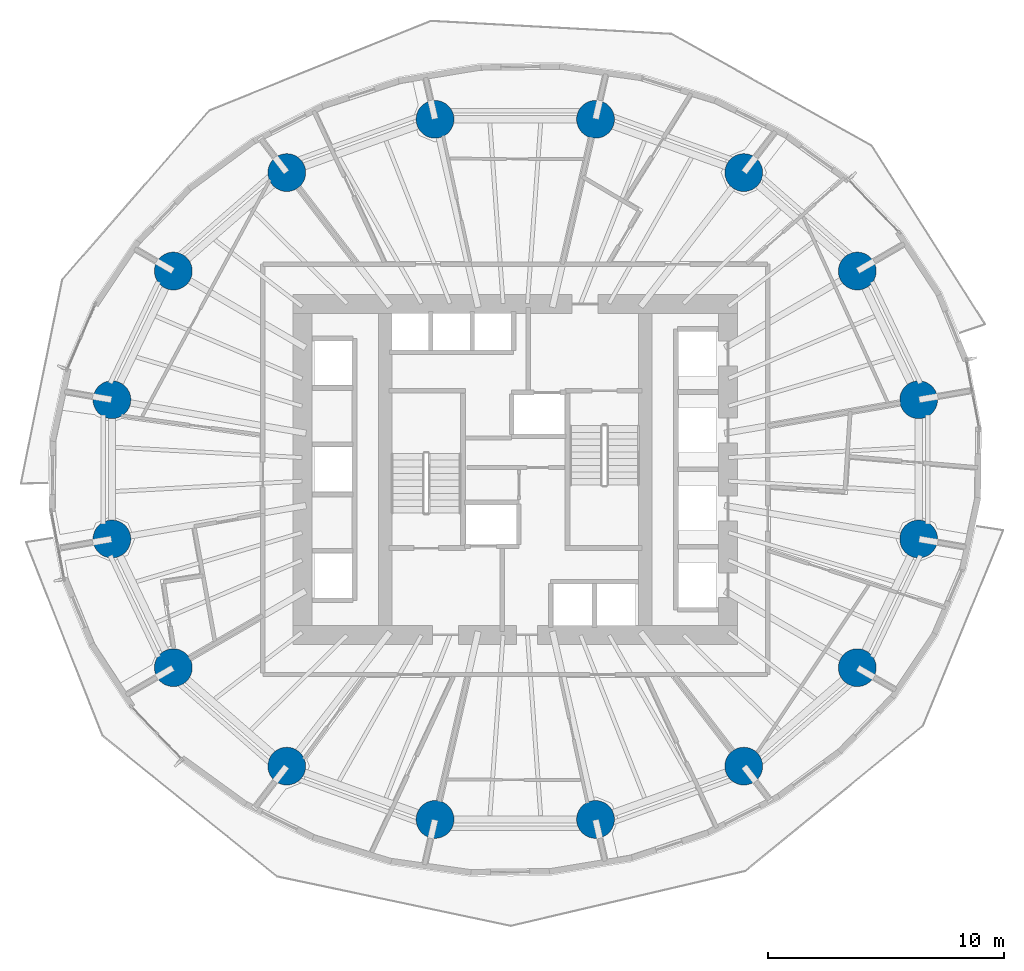
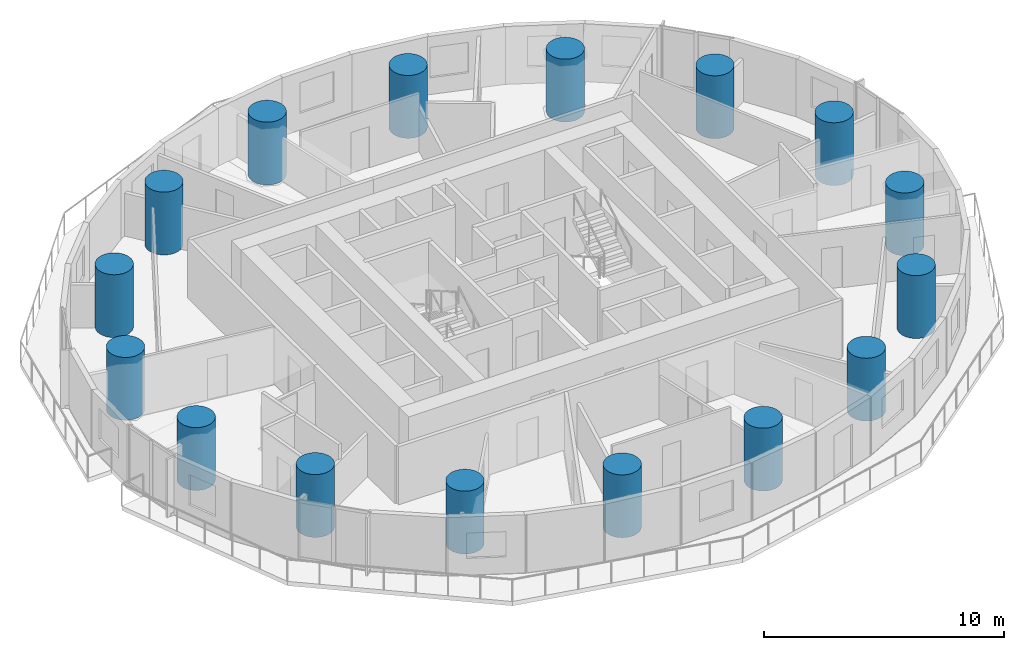
# One storey, part 1 of 14: 16 columns.
"""IFC4 building model written with IfcOpenShell, lengths in metres."""

from ifc_helpers import new_model, si_unit, direction, frame, origin, origin_2d, place, context, subcontext, project, spatial, circle, extrude, material, material_profile, profile_set, type_object, element, save


model = new_model("IFC4")

# Units and contexts
model_context = context("Model", 3, precision=1e-05, world=origin(), true_north=direction((0.0, 1.0)))
body_context = subcontext(model_context, "Body", "Model", "MODEL_VIEW")
ifc_project = project(units=[si_unit("LENGTHUNIT", "METRE"), si_unit("AREAUNIT", "SQUARE_METRE"), si_unit("VOLUMEUNIT", "CUBIC_METRE"), si_unit("PLANEANGLEUNIT", "RADIAN"), si_unit("MASSUNIT", "GRAM", prefix="KILO")], contexts=[model_context])

# Site, building, storey
site_placement = place(None, origin())
site = spatial("IfcSite", under=ifc_project, at=site_placement, CompositionType="ELEMENT")
building_placement = place(site_placement, origin())
building = spatial("IfcBuilding", under=site, at=building_placement, Name="Veldorim Arch Residences", CompositionType="ELEMENT")
storey_placement = place(building_placement, frame((0.0, 0.0, 31.199951171875)))
storey = spatial("IfcBuildingStorey", under=building, at=storey_placement, Name="L08", CompositionType="ELEMENT", Elevation=31.199951171875)

# Columns
ifc_material = material(Name="Concrete C60/75", Category="concrete")
ifc_material_profile = material_profile(ifc_material, circle(Radius=0.800048828125, at=origin_2d()), Name="RC_CIRC_1600")
ifc_profile_set = profile_set([ifc_material_profile], Name="Concrete C60/75")
column_type = type_object("IfcColumnType", Name="Structural Column RC_CIRC_1600", PredefinedType="COLUMN", material=ifc_profile_set)
for number, where, z_axis, x_axis, name in (
    (1, (49.065673828125, 26.94580078125, 0.0), (0.0, 0.0, 1.0), (1.0, 0.0, 0.0), "L08 TC-Z1-01 perimeter column"),
    (2, (46.467529296875, 32.38916015625, 0.0), (0.0, 0.0, 1.0), (1.0, 0.0, 0.0), "L08 TC-Z1-02 perimeter column"),
    (3, (41.6669921875, 36.55517578125, 0.0), (0.0, 0.0, 1.0), (1.0, 0.0, 0.0), "L08 TC-Z1-03 perimeter column"),
    (4, (35.39453125, 38.809814453125, 0.0), (0.0, 0.0, 1.0), (1.0, 0.0, 0.0), "L08 TC-Z1-04 perimeter column"),
    (5, (28.60546875, 38.809814453125, 0.0), (0.0, 0.0, 1.0), (1.0, 0.0, 0.0), "L08 TC-Z1-05 perimeter column"),
    (6, (22.3330078125, 36.55517578125, 0.0), (0.0, 0.0, 1.0), (1.0, 0.0, 0.0), "L08 TC-Z1-06 perimeter column"),
    (7, (17.532470703125, 32.38916015625, 0.0), (0.0, 0.0, 1.0), (1.0, 0.0, 0.0), "L08 TC-Z1-07 perimeter column"),
    (8, (14.934326171875, 26.94580078125, 0.0), (0.0, 0.0, 1.0), (1.0, 0.0, 0.0), "L08 TC-Z1-08 perimeter column"),
    (9, (14.934326171875, 21.05419921875, 0.0), (0.0, 0.0, 1.0), (1.0, 0.0, 0.0), "L08 TC-Z1-09 perimeter column"),
    (10, (17.532470703125, 15.61083984375, 0.0), (0.0, 0.0, 1.0), (1.0, 0.0, 0.0), "L08 TC-Z1-10 perimeter column"),
    (11, (22.3330078125, 11.44482421875, 0.0), (0.0, 0.0, 1.0), (1.0, 0.0, 0.0), "L08 TC-Z1-11 perimeter column"),
    (12, (28.60546875, 9.190185546875, 0.0), (0.0, 0.0, 1.0), (1.0, 0.0, 0.0), "L08 TC-Z1-12 perimeter column"),
    (13, (35.39453125, 9.190185546875, 0.0), (0.0, 0.0, 1.0), (1.0, 0.0, 0.0), "L08 TC-Z1-13 perimeter column"),
    (14, (41.6669921875, 11.44482421875, 0.0), (0.0, 0.0, 1.0), (1.0, 0.0, 0.0), "L08 TC-Z1-14 perimeter column"),
    (15, (46.467529296875, 15.61083984375, 0.0), (0.0, 0.0, 1.0), (1.0, 0.0, 0.0), "L08 TC-Z1-15 perimeter column"),
    (16, (49.065673828125, 21.05419921875, 0.0), (0.0, 0.0, 1.0), (1.0, 0.0, 0.0), "L08 TC-Z1-16 perimeter column"),
):
    element("IfcColumn", number, at=place(storey_placement, frame(where, z_axis=z_axis, x_axis=x_axis)), inside=storey, type_object=column_type, Name=name, PredefinedType="COLUMN", context=body_context, shape_type="SweptSolid", body=[
        extrude(circle(Radius=0.800048828125, at=origin_2d()), origin(), (0.0, 0.0, 1.0), 3.199951171875),
    ])

save(model, "model.ifc")
